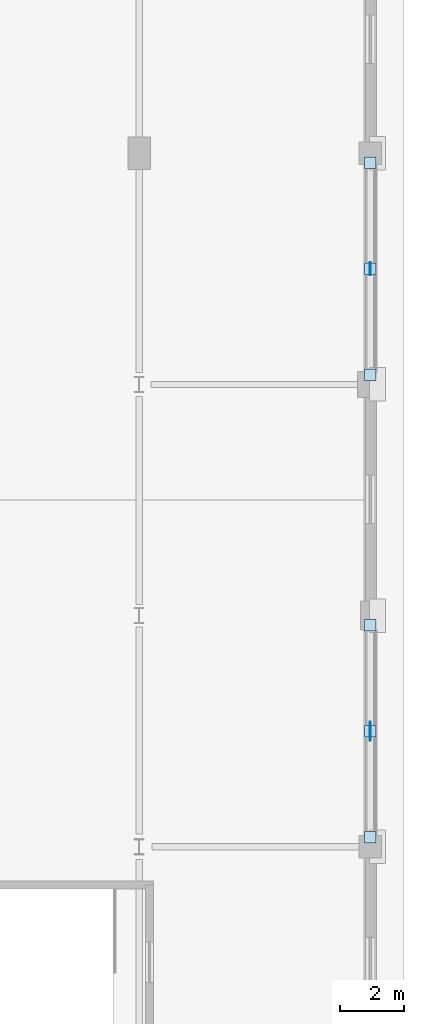
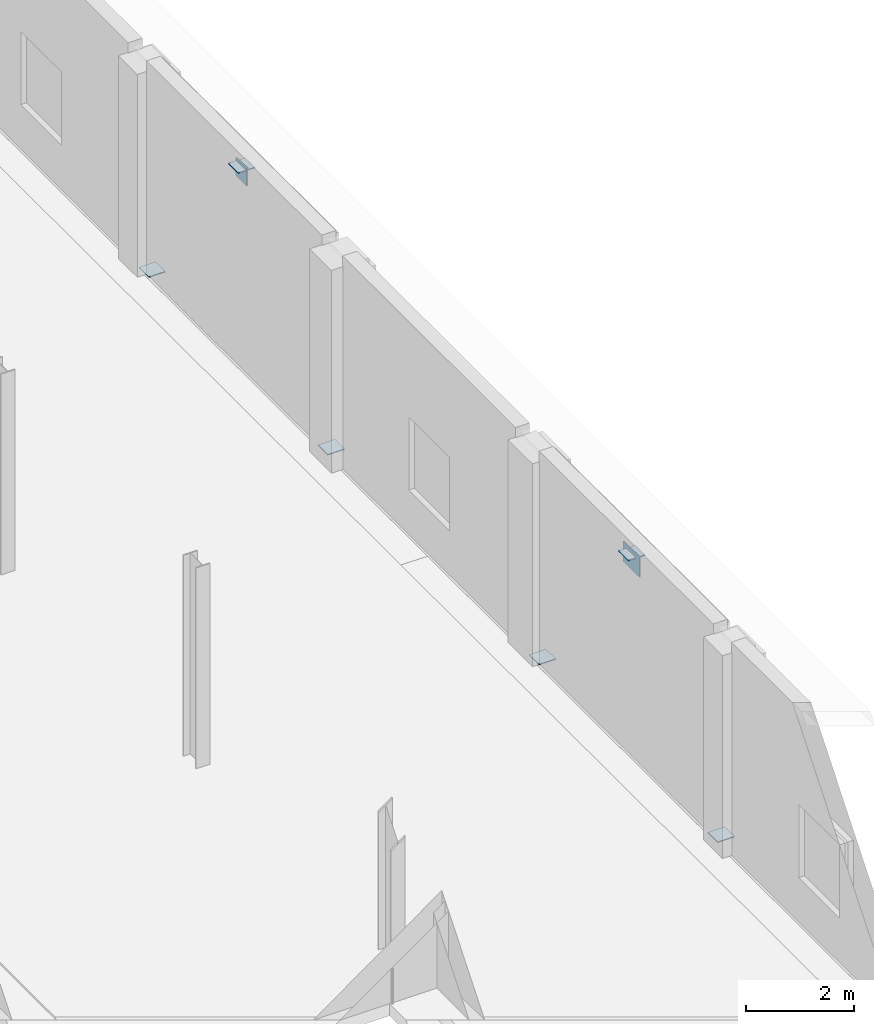
# One storey, part 55 of 82: 8 plates.
"""IFC4 building model written with IfcOpenShell, lengths in metres."""

import ifcopenshell
import ifcopenshell.guid

model = None  # the IFC model being written
_history = None  # IfcOwnerHistory: only IFC2X3 demands one
_inside = {}  # id of a spatial element -> (the spatial element, [elements in it])
_under = {}  # id of a project, library or spatial element -> (it, [spatial elements below it])
_declared = {}  # id of a project -> (the project, [libraries it declares])
_typed = {}  # id of a type object -> (the type object, [elements of that type])
_made_of = {}  # id of a material, layer set ... -> (it, [elements and type objects made of it])


def new_model(schema):
    """Start an empty IFC model of exactly this schema.

    Asked for "IFC4X3", IfcOpenShell would pick the latest addendum, in which some entities
    have other attributes; the version numbers below select the first issue.
    IFC2X3 requires an IfcOwnerHistory on every rooted entity: one is made here for all.
    """
    global model, _history
    if schema == "IFC4X3":
        model = ifcopenshell.file(schema_version=(4, 3, 0, 0))
    else:
        model = ifcopenshell.file(schema=schema)
    _inside.clear()
    _under.clear()
    _declared.clear()
    _typed.clear()
    _made_of.clear()
    _history = None
    if model.schema == "IFC2X3":
        org = make("IfcOrganization", Name="unknown")
        user = make(
            "IfcPersonAndOrganization",
            ThePerson=make("IfcPerson", FamilyName="unknown"),
            TheOrganization=org,
        )
        app = make(
            "IfcApplication",
            ApplicationDeveloper=org,
            Version="unknown",
            ApplicationFullName="unknown",
            ApplicationIdentifier="unknown",
        )
        _history = make(
            "IfcOwnerHistory",
            OwningUser=user,
            OwningApplication=app,
            ChangeAction="ADDED",
            CreationDate=0,
        )
    return model


def make(cls, **values):
    """One entity of the class cls with the attributes given. An attribute that is None is left unset."""
    return model.create_entity(
        cls, **{name: value for name, value in values.items() if value is not None}
    )


def rooted(cls, **values):
    """An entity with a GlobalId (a new one), such as an element, a storey or a relation."""
    return make(cls, GlobalId=ifcopenshell.guid.new(), OwnerHistory=_history, **values)


def si_unit(unit_type, name, prefix=None):
    """IfcSIUnit, for example si_unit("LENGTHUNIT", "METRE", prefix="MILLI")."""
    return make("IfcSIUnit", UnitType=unit_type, Prefix=prefix, Name=name)


def assignment(units):
    """IfcUnitAssignment: the units of a project."""
    return None if units is None else make("IfcUnitAssignment", Units=units)


def point(xyz):
    """IfcCartesianPoint."""
    return None if xyz is None else make("IfcCartesianPoint", Coordinates=xyz)


def direction(xyz):
    """IfcDirection."""
    return None if xyz is None else make("IfcDirection", DirectionRatios=xyz)


def frame(location, z_axis=None, x_axis=None):
    """IfcAxis2Placement3D, a coordinate frame: its origin and axes. An axis left out is left unset."""
    return make(
        "IfcAxis2Placement3D",
        Location=point(location),
        Axis=direction(z_axis),
        RefDirection=direction(x_axis),
    )


def frame_2d(location, x_axis=None):
    """IfcAxis2Placement2D, a coordinate frame in the plane: its origin and x axis."""
    return make(
        "IfcAxis2Placement2D", Location=point(location), RefDirection=direction(x_axis)
    )


def origin():
    """The frame at (0, 0, 0) with its axes left unset."""
    return frame((0.0, 0.0, 0.0))


def origin_2d():
    """The frame at (0, 0) in the plane with its x axis left unset."""
    return frame_2d((0.0, 0.0))


def place(relative_to, where):
    """IfcLocalPlacement: puts the frame where relative to a parent placement (None: the world)."""
    return make(
        "IfcLocalPlacement", PlacementRelTo=relative_to, RelativePlacement=where
    )


def context(
    kind, dimensions, precision=None, world=None, true_north=None, identifier=None
):
    """IfcGeometricRepresentationContext, for example the 3D "Model" context."""
    return make(
        "IfcGeometricRepresentationContext",
        ContextIdentifier=identifier,
        ContextType=kind,
        CoordinateSpaceDimension=dimensions,
        Precision=precision,
        WorldCoordinateSystem=world,
        TrueNorth=true_north,
    )


def subcontext(parent, identifier, kind, view, scale=None):
    """IfcGeometricRepresentationSubContext, for example "Body" below "Model"."""
    return make(
        "IfcGeometricRepresentationSubContext",
        ContextIdentifier=identifier,
        ContextType=kind,
        ParentContext=parent,
        TargetScale=scale,
        TargetView=view,
    )


def project(units=None, contexts=None):
    """IfcProject with its units and contexts."""
    return rooted(
        "IfcProject",
        Name="project",
        RepresentationContexts=contexts,
        UnitsInContext=assignment(units),
    )


def spatial(cls, under=None, at=None, **own):
    """A site, building, storey or space (cls), placed at a placement, below another one or the project."""
    s = rooted(cls, ObjectPlacement=at, **own)
    if under is not None:
        _under.setdefault(under.id(), (under, []))[1].append(s)
    return s


def profile(cls, at=None, kind="AREA", **sizes):
    """A parametric profile (cls). Its sizes go by their IFC names, for example OverallWidth=200.0."""
    return make(cls, ProfileType=kind, Position=at, **sizes)


def rectangle(**sizes):
    """IfcRectangleProfileDef."""
    return profile("IfcRectangleProfileDef", **sizes)


def extrude(swept, where, along, depth):
    """IfcExtrudedAreaSolid: the profile swept, set in the frame where, extruded along a direction by depth."""
    return make(
        "IfcExtrudedAreaSolid",
        SweptArea=swept,
        Position=where,
        ExtrudedDirection=direction(along),
        Depth=depth,
    )


def shape(context_of_items, identifier, shape_type, items):
    """IfcShapeRepresentation: the items that make up one representation, for example the "Body"."""
    return make(
        "IfcShapeRepresentation",
        ContextOfItems=context_of_items,
        RepresentationIdentifier=identifier,
        RepresentationType=shape_type,
        Items=items,
    )


def material(Name=None, Category=None):
    """IfcMaterial."""
    return make("IfcMaterial", Name=Name, Category=Category)


def layer(
    of_material, thickness, ventilated=None, Name=None, Category=None, Priority=None
):
    """IfcMaterialLayer: one layer of a wall or slab, of a material (None: an air gap)."""
    return make(
        "IfcMaterialLayer",
        Material=of_material,
        LayerThickness=thickness,
        IsVentilated=ventilated,
        Name=Name,
        Category=Category,
        Priority=Priority,
    )


def layer_set(layers, Name=None):
    """IfcMaterialLayerSet."""
    return make("IfcMaterialLayerSet", MaterialLayers=layers, LayerSetName=Name)


def made_of(thing, what):
    """Note that an element or type object is made of a material, layer set ...; save() writes the relation."""
    if what is not None:
        _made_of.setdefault(what.id(), (what, []))[1].append(thing)
    return thing


def type_object(cls, material=None, **own):
    """A type object (cls), such as IfcWallType, which elements share."""
    return made_of(rooted(cls, **own), material)


def element(
    cls,
    number,
    at=None,
    inside=None,
    cuts=None,
    type_object=None,
    material=None,
    context=None,
    identifier="Body",
    shape_type=None,
    held_by="IfcProductDefinitionShape",
    body=None,
    shapes=None,
    **own,
):
    """One element of the class cls, such as IfcWall. Its Tag is "e" and its number.

    at: its placement. inside: the storey or other place that contains it. cuts: it is an
    opening in that element (IfcRelVoidsElement). A single representation is given by context,
    identifier, shape_type and body (its items); several are given by shapes. held_by: the class
    of the entity that holds the representations. save() writes the other relations.
    """
    e = rooted(cls, Tag="e%d" % number, ObjectPlacement=at, **own)
    if body is not None:
        shapes = [shape(context, identifier, shape_type, body)]
    if shapes is not None:
        e.Representation = make(held_by, Representations=shapes)
    if inside is not None:
        _inside.setdefault(inside.id(), (inside, []))[1].append(e)
    if cuts is not None:
        rooted(
            "IfcRelVoidsElement", RelatingBuildingElement=cuts, RelatedOpeningElement=e
        )
    if type_object is not None:
        _typed.setdefault(type_object.id(), (type_object, []))[1].append(e)
    return made_of(e, material)


def aggregate(whole, parts):
    """IfcRelAggregates: a whole, such as a stair, and the parts it consists of."""
    return rooted("IfcRelAggregates", RelatingObject=whole, RelatedObjects=parts)


def save(model, path):
    """Write the relations noted so far, then the file.

    IfcRelAggregates (storeys below a building ...), IfcRelContainedInSpatialStructure (elements
    in a storey), IfcRelDefinesByType, IfcRelAssociatesMaterial and IfcRelDeclares: one each for
    every whole, place, type object, material and project.
    """
    for whole, parts in _under.values():
        aggregate(whole, parts)
    for where, things in _inside.values():
        rooted(
            "IfcRelContainedInSpatialStructure",
            RelatedElements=things,
            RelatingStructure=where,
        )
    for kind, things in _typed.values():
        rooted("IfcRelDefinesByType", RelatedObjects=things, RelatingType=kind)
    for what, things in _made_of.values():
        rooted("IfcRelAssociatesMaterial", RelatedObjects=things, RelatingMaterial=what)
    for by, libraries in _declared.values():
        rooted("IfcRelDeclares", RelatingContext=by, RelatedDefinitions=libraries)
    model.write(path)


model = new_model("IFC4")

# Units and contexts
model_context = context("Model", 3, precision=1e-05, world=origin(), true_north=direction((0.0, 1.0)))
body_context = subcontext(model_context, "Body", "Model", "MODEL_VIEW")
ifc_project = project(units=[si_unit("LENGTHUNIT", "METRE"), si_unit("AREAUNIT", "SQUARE_METRE"), si_unit("VOLUMEUNIT", "CUBIC_METRE"), si_unit("PLANEANGLEUNIT", "RADIAN"), si_unit("MASSUNIT", "GRAM", prefix="KILO")], contexts=[model_context])

# Site, building, storey
site_placement = place(None, origin())
site = spatial("IfcSite", under=ifc_project, at=site_placement, CompositionType="ELEMENT")
building_placement = place(site_placement, origin())
building = spatial("IfcBuilding", under=site, at=building_placement, Name="Sardonyx Promenade Sports Hall", CompositionType="ELEMENT")
storey_placement = place(building_placement, frame((0.0, 0.0, 11.199951171875)))
storey = spatial("IfcBuildingStorey", under=building, at=storey_placement, Name="L02", CompositionType="ELEMENT", Elevation=11.199951171875)

# Plates
ifc_material_1 = material(Name="Steel S355JR", Category="steel")
ifc_layer_1 = layer(ifc_material_1, 0.02001953125)
ifc_layer_set_1 = layer_set([ifc_layer_1], Name="Plt_EndCap_EC1")
plate_type_1 = type_object("IfcPlateType", Name="Plt_EndCap_EC1", PredefinedType="USERDEFINED", material=ifc_layer_set_1)
for number, where, z_axis, x_axis, name in (
    (1, (165.60009765625, 57.89990234375, 0.010009765625), (0.0, 0.0, 1.0), (1.0, 0.0, 0.0), "Brace foot end-cap plate EC1 BF3 L02 L1"),
    (2, (165.60009765625, 64.5, 0.010009765625), (0.0, 0.0, 1.0), (1.0, 0.0, 0.0), "Brace foot end-cap plate EC1 BF3 L02 L2"),
    (3, (165.60009765625, 61.199951171875, 4.35498046875), (0.0, 0.0, 1.0), (1.0, 0.0, 0.0), "Brace apex cap plate EC1 BF3 L02"),
    (4, (165.60009765625, 72.300048828125, 0.010009765625), (0.0, 0.0, 1.0), (1.0, 0.0, 0.0), "Brace foot end-cap plate EC1 BF4 L02 L1"),
    (5, (165.60009765625, 78.89990234375, 0.010009765625), (0.0, 0.0, 1.0), (1.0, 0.0, 0.0), "Brace foot end-cap plate EC1 BF4 L02 L2"),
    (6, (165.60009765625, 75.60009765625, 4.35498046875), (0.0, 0.0, 1.0), (1.0, 0.0, 0.0), "Brace apex cap plate EC1 BF4 L02"),
):
    element("IfcPlate", number, at=place(storey_placement, frame(where, z_axis=z_axis, x_axis=x_axis)), inside=storey, type_object=plate_type_1, Name=name, ObjectType="END CAP PLATE", PredefinedType="USERDEFINED", context=body_context, shape_type="SweptSolid", body=[
        extrude(rectangle(XDim=0.360107421875, YDim=0.360107421875, at=origin_2d()), origin(), (0.0, 0.0, 1.0), 0.02001953125),
    ])
ifc_material_2 = material(Name="Steel S355JR", Category="steel")
ifc_layer_2 = layer(ifc_material_2, 0.02490234375)
ifc_layer_set_2 = layer_set([ifc_layer_2], Name="Plt_Gusset_KN1")
plate_type_2 = type_object("IfcPlateType", Name="Plt_Gusset_KN1", PredefinedType="USERDEFINED", material=ifc_layer_set_2)
plate_1_placement = place(storey_placement, frame((165.60009765625, 61.199951171875, 4.0048828125), z_axis=(0.0, 0.0, 1.0), x_axis=(0.0, 1.0, 0.0)))
element("IfcPlate", 7, at=plate_1_placement, inside=storey, type_object=plate_type_2, Name="Braced-frame apex gusset KN1 BF3 L02", ObjectType="GUSSET PLATE", PredefinedType="USERDEFINED", context=body_context, shape_type="SweptSolid", body=[
    extrude(rectangle(XDim=0.60009765625, YDim=0.02490234375, at=origin_2d()), origin(), (0.0, 0.0, 1.0), 0.449951171875),
])
ifc_material_3 = material(Name="Steel S355JR", Category="steel")
ifc_layer_3 = layer(ifc_material_3, 0.030029296875)
ifc_layer_set_3 = layer_set([ifc_layer_3], Name="Plt_Gusset_KN4")
plate_type_3 = type_object("IfcPlateType", Name="Plt_Gusset_KN4", PredefinedType="USERDEFINED", material=ifc_layer_set_3)
plate_2_placement = place(storey_placement, frame((165.60009765625, 75.60009765625, 4.030029296875), z_axis=(0.0, 0.0, 1.0), x_axis=(0.0, 1.0, 0.0)))
element("IfcPlate", 8, at=plate_2_placement, inside=storey, type_object=plate_type_3, Name="Braced-frame apex gusset KN4 BF4 L02", ObjectType="GUSSET PLATE", PredefinedType="USERDEFINED", context=body_context, shape_type="SweptSolid", body=[
    extrude(rectangle(XDim=0.39990234375, YDim=0.030029296875, at=origin_2d()), origin(), (0.0, 0.0, 1.0), 0.39990234375),
])

save(model, "model.ifc")
